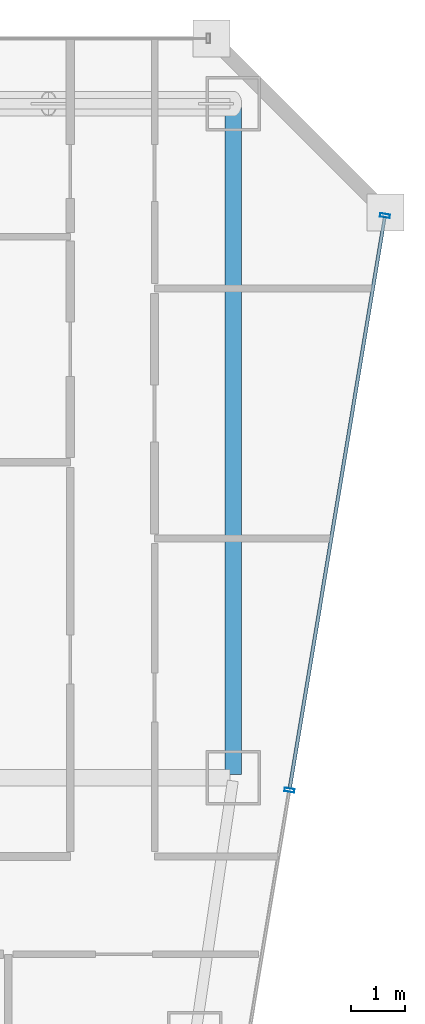
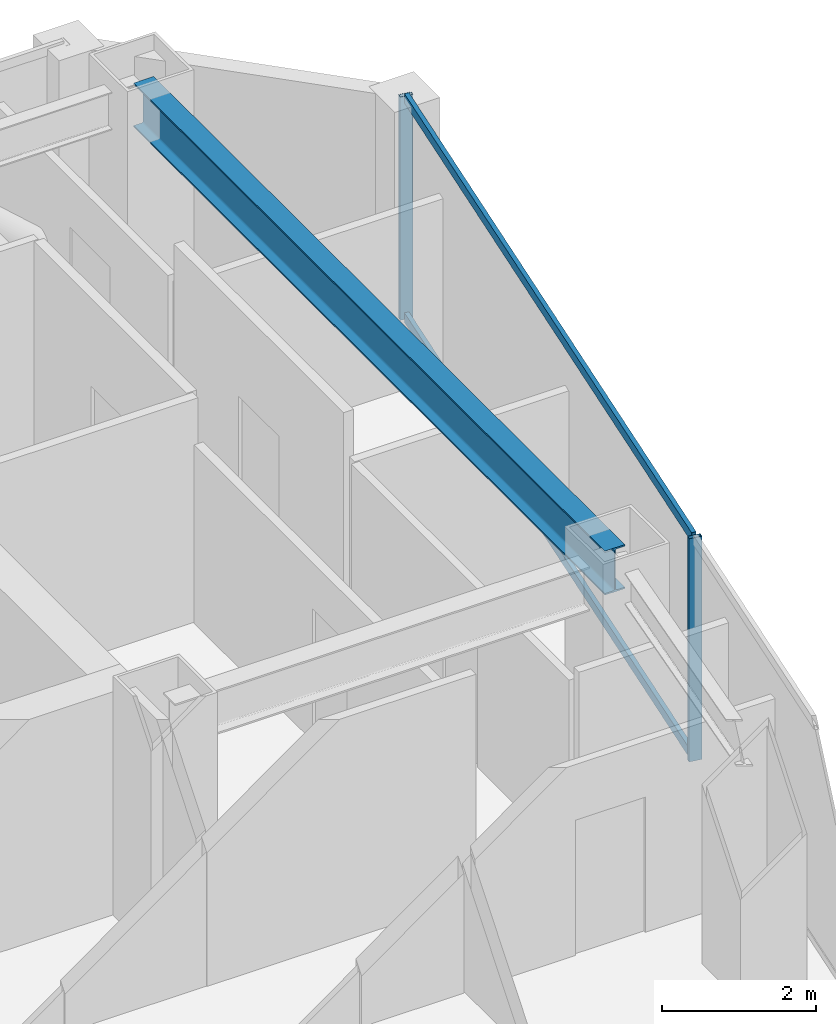
# One storey, part 26 of 36: 4 members, 1 beam, 1 element without a shape of its own.
"""IFC4 building model written with IfcOpenShell, lengths in metres."""

from ifc_helpers import new_model, si_unit, direction, frame, origin, origin_2d, place, context, subcontext, project, spatial, hollow_rectangle, i_section, extrude, material, material_profile, profile_set, type_object, element, aggregate, save


model = new_model("IFC4")

# Units and contexts
model_context = context("Model", 3, precision=1e-05, world=origin(), true_north=direction((0.0, 1.0)))
body_context = subcontext(model_context, "Body", "Model", "MODEL_VIEW")
ifc_project = project(units=[si_unit("LENGTHUNIT", "METRE"), si_unit("AREAUNIT", "SQUARE_METRE"), si_unit("VOLUMEUNIT", "CUBIC_METRE"), si_unit("PLANEANGLEUNIT", "RADIAN"), si_unit("MASSUNIT", "GRAM", prefix="KILO")], contexts=[model_context])

# Site, building, storey
site_placement = place(None, origin())
site = spatial("IfcSite", under=ifc_project, at=site_placement, CompositionType="ELEMENT")
building_placement = place(site_placement, origin())
building = spatial("IfcBuilding", under=site, at=building_placement, Name="Saevonmaru Cultural Tower", CompositionType="ELEMENT")
storey_placement = place(building_placement, frame((0.0, 0.0, 148.60009765625)))
storey = spatial("IfcBuildingStorey", under=building, at=storey_placement, Name="L32", CompositionType="ELEMENT", Elevation=148.60009765625)

# Beam
ifc_material_1 = material(Name="Steel SM355", Category="steel")
ifc_material_profile_1 = material_profile(ifc_material_1, i_section(OverallWidth=0.300048828125, OverallDepth=0.699951171875, WebThickness=0.012939453125, FlangeThickness=0.02392578125, FilletRadius=0.02587890625, at=origin_2d()), Name="H-700x300x13x24")
ifc_profile_set_1 = profile_set([ifc_material_profile_1], Name="Steel SM355")
beam_type = type_object("IfcBeamType", Name="BM-G-H700", PredefinedType="BEAM", material=ifc_profile_set_1)
beam_placement = place(storey_placement, frame((53.199951171875, 54.739990234375, 3.199951171875), z_axis=(0.0, -1.0, 0.0), x_axis=(1.0, 0.0, 0.0)))
element("IfcBeam", 1, at=beam_placement, inside=storey, type_object=beam_type, Name="L32 Spine Transverse Girder E", PredefinedType="BEAM", context=body_context, shape_type="SweptSolid", body=[
    extrude(i_section(OverallWidth=0.300048828125, OverallDepth=0.699951171875, WebThickness=0.012939453125, FlangeThickness=0.02392578125, FilletRadius=0.02587890625, at=origin_2d()), origin(), (0.0, 0.0, 1.0), 12.280029296875),
])

# Curtain wall, members
ifc_material_2 = material(Name="Satin Bronze Anodised Aluminium", Category="aluminium")
curtain_wall_type = type_object("IfcCurtainWallType", Name="CW-TYP-A", PredefinedType="NOTDEFINED", material=ifc_material_2)
curtain_wall_placement = place(storey_placement, origin())
curtain_wall = element("IfcCurtainWall", 2, at=curtain_wall_placement, inside=storey, type_object=curtain_wall_type, Name="L32 Unitised Curtain Wall E8", PredefinedType="NOTDEFINED")
ifc_material_profile_2 = material_profile(ifc_material_2, hollow_rectangle(XDim=0.06494140625, YDim=0.179931640625, WallThickness=0.00390625, at=origin_2d()), Name="ALU-MULL-180x65x4")
ifc_profile_set_2 = profile_set([ifc_material_profile_2], Name="Satin Bronze Anodised Aluminium")
member_type_1 = type_object("IfcMemberType", Name="ML-CW-180x65", PredefinedType="MULLION", material=ifc_profile_set_2)
member_1_placement = place(storey_placement, frame((54.23291015625, 42.17041015625, 0.0), z_axis=(0.0, 0.0, 1.0), x_axis=(0.163998702345, 0.986460554523, 0.0)))
member_1 = element("IfcMember", 3, at=member_1_placement, type_object=member_type_1, Name="CW-TW-L32-E8 mullion 4", PredefinedType="MULLION", context=body_context, shape_type="SweptSolid", body=[
    extrude(hollow_rectangle(XDim=0.06494140625, YDim=0.179931640625, WallThickness=0.00390625, at=origin_2d()), origin(), (0.0, 0.0, 1.0), 3.5498046875),
])
member_2_placement = place(storey_placement, frame((55.990234375, 52.74072265625, 0.0), z_axis=(0.0, 0.0, 1.0), x_axis=(0.163998702345, 0.986460554523, 0.0)))
member_2 = element("IfcMember", 4, at=member_2_placement, type_object=member_type_1, Name="CW-TW-L32-E8 mullion 5", PredefinedType="MULLION", context=body_context, shape_type="SweptSolid", body=[
    extrude(hollow_rectangle(XDim=0.06494140625, YDim=0.179931640625, WallThickness=0.00390625, at=origin_2d()), origin(), (0.0, 0.0, 1.0), 3.5498046875),
])
ifc_material_profile_3 = material_profile(ifc_material_2, hollow_rectangle(XDim=0.06494140625, YDim=0.14990234375, WallThickness=0.00390625, at=origin_2d()), Name="ALU-TRAN-150x65x4")
ifc_profile_set_3 = profile_set([ifc_material_profile_3], Name="Satin Bronze Anodised Aluminium")
member_type_2 = type_object("IfcMemberType", Name="TR-CW-150x65", PredefinedType="USERDEFINED", material=ifc_profile_set_3)
member_3_placement = place(storey_placement, frame((54.23828125, 42.202392578125, 0.032470703125), z_axis=(0.163990079074, 0.9864619881, 0.0), x_axis=(-0.9864619881, 0.163990079074, 0.0)))
member_3 = element("IfcMember", 5, at=member_3_placement, type_object=member_type_2, Name="CW-TW-L32-E8 transom 4.1", ObjectType="TRANSOM", PredefinedType="USERDEFINED", context=body_context, shape_type="SweptSolid", body=[
    extrude(hollow_rectangle(XDim=0.06494140625, YDim=0.14990234375, WallThickness=0.00390625, at=origin_2d()), origin(), (0.0, 0.0, 1.0), 10.650634765625),
])
member_4_placement = place(storey_placement, frame((54.23828125, 42.202392578125, 3.517333984375), z_axis=(0.163990079074, 0.9864619881, 0.0), x_axis=(-0.9864619881, 0.163990079074, 0.0)))
member_4 = element("IfcMember", 6, at=member_4_placement, type_object=member_type_2, Name="CW-TW-L32-E8 transom 4.2", ObjectType="TRANSOM", PredefinedType="USERDEFINED", context=body_context, shape_type="SweptSolid", body=[
    extrude(hollow_rectangle(XDim=0.06494140625, YDim=0.14990234375, WallThickness=0.00390625, at=origin_2d()), origin(), (0.0, 0.0, 1.0), 10.650634765625),
])
aggregate(curtain_wall, [member_1, member_2, member_3, member_4])

save(model, "model.ifc")
